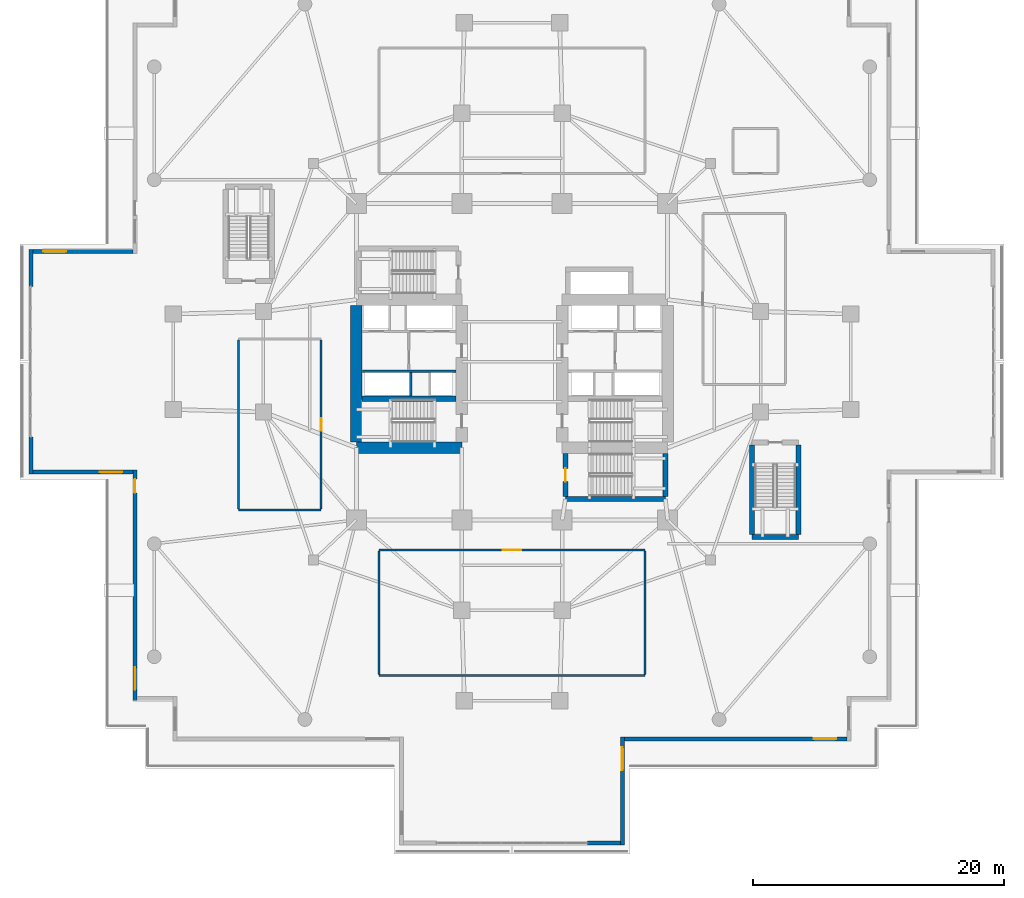
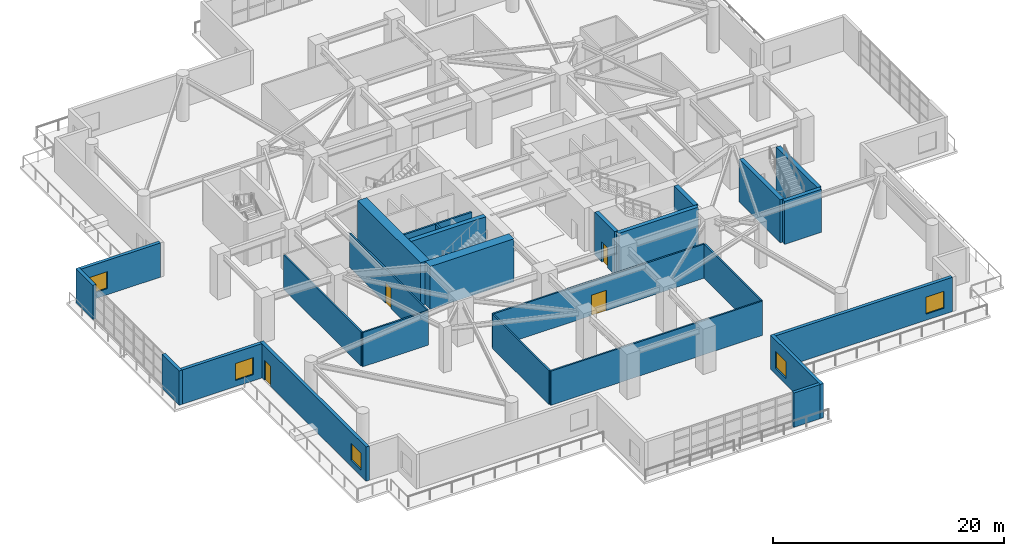
# One storey, part 13 of 23: 26 walls, 5 windows, 4 doors, 9 openings.
"""IFC4 building model written with IfcOpenShell, lengths in metres."""

from ifc_helpers import new_model, si_unit, direction, frame, frame_2d, origin, place, context, subcontext, project, spatial, rectangle, extrude, material, layer, layer_set, type_object, element, fill, save


model = new_model("IFC4")

# Units and contexts
model_context = context("Model", 3, precision=1e-05, world=origin(), true_north=direction((0.0, 1.0)))
body_context = subcontext(model_context, "Body", "Model", "MODEL_VIEW")
ifc_project = project(units=[si_unit("LENGTHUNIT", "METRE"), si_unit("AREAUNIT", "SQUARE_METRE"), si_unit("VOLUMEUNIT", "CUBIC_METRE"), si_unit("PLANEANGLEUNIT", "RADIAN"), si_unit("MASSUNIT", "GRAM", prefix="KILO")], contexts=[model_context])

# Site, building, storey
site_placement = place(None, origin())
site = spatial("IfcSite", under=ifc_project, at=site_placement, CompositionType="ELEMENT")
building_placement = place(site_placement, origin())
building = spatial("IfcBuilding", under=site, at=building_placement, Name="Qingluan Cross Belvedere", CompositionType="ELEMENT")
storey_placement = place(building_placement, frame((0.0, 0.0, 5.39990234375)))
storey = spatial("IfcBuildingStorey", under=building, at=storey_placement, Name="L02", CompositionType="ELEMENT", Elevation=5.39990234375)

# Walls
ifc_material_1 = material(Name="Concrete C50", Category="concrete")
ifc_layer_1 = layer(ifc_material_1, 0.449951171875, Name="CoreShearWall_450")
ifc_layer_set_1 = layer_set([ifc_layer_1], Name="Concrete C50")
wall_type_1 = type_object("IfcWallType", Name="CoreShearWall_450", PredefinedType="SHEAR", material=ifc_layer_set_1)
wall_1_placement = place(storey_placement, frame((-11.945068359375, -2.9599609375, 0.0), z_axis=(0.0, 0.0, 1.0), x_axis=(1.0, 0.0, 0.0)))
element("IfcWall", 1, at=wall_1_placement, inside=storey, type_object=wall_type_1, Name="Split core W shear wall L02-M", PredefinedType="SHEAR", context=body_context, shape_type="SweptSolid", body=[
    extrude(rectangle(XDim=7.489990234375, YDim=0.449951171875, at=frame_2d((3.7451171875, 0.0))), origin(), (0.0, 0.0, 1.0), 4.550048828125),
])
wall_2_placement = place(storey_placement, frame((4.260009765625, -10.93994140625, 0.0), z_axis=(0.0, 0.0, 1.0), x_axis=(1.0, 0.0, 0.0)))
element("IfcWall", 2, at=wall_2_placement, inside=storey, type_object=wall_type_1, Name="Stair ST4 structural wall S L02", PredefinedType="SHEAR", context=body_context, shape_type="SweptSolid", body=[
    extrude(rectangle(XDim=7.9599609375, YDim=0.39990234375, at=frame_2d((3.97998046875, 0.0))), origin(), (0.0, 0.0, 1.0), 4.550048828125),
])

# Wall, opening, door
wall_3_placement = place(storey_placement, frame((4.260009765625, -10.735107421875, 0.0), z_axis=(0.0, 0.0, 1.0), x_axis=(0.0, 1.0, 0.0)))
wall_3 = element("IfcWall", 3, at=wall_3_placement, inside=storey, type_object=wall_type_1, Name="Stair ST4 structural wall W L02", PredefinedType="SHEAR", context=body_context, shape_type="SweptSolid", body=[
    extrude(rectangle(XDim=3.43017578125, YDim=0.39990234375, at=frame_2d((1.715087890625, 0.0))), origin(), (0.0, 0.0, 1.0), 4.550048828125),
])
opening_1_placement = place(wall_3_placement, frame((1.18505859375, 0.0, 0.0)))
opening_1 = element("IfcOpeningElement", 4, at=opening_1_placement, cuts=wall_3, Name="Opening FD-B11", PredefinedType="OPENING", context=body_context, shape_type="SweptSolid", body=[
    extrude(rectangle(XDim=1.050048828125, YDim=2.14990234375, at=frame_2d((0.52490234375, 1.074951171875))), frame((0.0, 0.2099609375, 0.0), z_axis=(0.0, -1.0, 0.0), x_axis=(1.0, 0.0, 0.0)), (0.0, 0.0, 1.0), 0.419921875),
])
ifc_material_2 = material(Name="Steel Class B smoke-seal fire door", Category="steel")
door_type_1 = type_object("IfcDoorType", Name="StairLobbyFireDoor_FDB", OperationType="NOTDEFINED", PredefinedType="DOOR", material=ifc_material_2)
door_1_placement = place(opening_1_placement, origin())
door_1 = element("IfcDoor", 5, at=door_1_placement, inside=storey, type_object=door_type_1, Name="Smoke-proof stair ST4 fire door L02", OperationType="SINGLE_SWING_LEFT", OverallHeight=2.14990234375, OverallWidth=1.050048828125, PredefinedType="DOOR", context=body_context, shape_type="SweptSolid", body=[
    extrude(rectangle(XDim=1.050048828125, YDim=2.14990234375, at=frame_2d((0.52490234375, 1.074951171875))), frame((0.0, 0.02490234375, 0.0), z_axis=(0.0, -1.0, 0.0), x_axis=(1.0, 0.0, 0.0)), (0.0, 0.0, 1.0), 0.050048828125),
])
fill(opening_1, door_1)

# Walls
wall_4_placement = place(storey_placement, frame((12.219970703125, -10.735107421875, 0.0), z_axis=(0.0, 0.0, 1.0), x_axis=(0.0, 1.0, 0.0)))
element("IfcWall", 6, at=wall_4_placement, inside=storey, type_object=wall_type_1, Name="Stair ST4 structural wall E L02", PredefinedType="SHEAR", context=body_context, shape_type="SweptSolid", body=[
    extrude(rectangle(XDim=3.43017578125, YDim=0.39990234375, at=frame_2d((1.715087890625, 0.0))), origin(), (0.0, 0.0, 1.0), 4.550048828125),
])
wall_5_placement = place(storey_placement, frame((19.1201171875, -13.949951171875, 0.0), z_axis=(0.0, 0.0, 1.0), x_axis=(1.0, 0.0, 0.0)))
element("IfcWall", 7, at=wall_5_placement, inside=storey, type_object=wall_type_1, Name="Stair ST6 structural wall S L02", PredefinedType="SHEAR", context=body_context, shape_type="SweptSolid", body=[
    extrude(rectangle(XDim=3.699951171875, YDim=0.39990234375, at=frame_2d((1.85009765625, 0.0))), origin(), (0.0, 0.0, 1.0), 4.550048828125),
])
for number, where, z_axis, x_axis, name in (
    (8, (19.1201171875, -13.7451171875, 0.0), (0.0, 0.0, 1.0), (0.0, 1.0, 0.0), "Stair ST6 structural wall W L02"),
    (9, (22.820068359375, -13.7451171875, 0.0), (0.0, 0.0, 1.0), (0.0, 1.0, 0.0), "Stair ST6 structural wall E L02"),
):
    element("IfcWall", number, at=place(storey_placement, frame(where, z_axis=z_axis, x_axis=x_axis)), inside=storey, type_object=wall_type_1, Name=name, PredefinedType="SHEAR", context=body_context, shape_type="SweptSolid", body=[
        extrude(rectangle(XDim=7.110107421875, YDim=0.39990234375, at=frame_2d((3.55517578125, 0.0))), origin(), (0.0, 0.0, 1.0), 4.550048828125),
    ])
ifc_material_3 = material(Name="Concrete C70", Category="concrete")
ifc_layer_2 = layer(ifc_material_3, 0.89990234375, Name="CoreShearWall_900")
ifc_layer_set_2 = layer_set([ifc_layer_2], Name="Concrete C70")
wall_type_2 = type_object("IfcWallType", Name="CoreShearWall_900", PredefinedType="SHEAR", material=ifc_layer_set_2)
wall_6_placement = place(storey_placement, frame((-12.39990234375, -6.85009765625, 0.0), z_axis=(0.0, 0.0, 1.0), x_axis=(1.0, 0.0, 0.0)))
element("IfcWall", 10, at=wall_6_placement, inside=storey, type_object=wall_type_2, Name="Split core W shear wall L02-S", PredefinedType="SHEAR", context=body_context, shape_type="SweptSolid", body=[
    extrude(rectangle(XDim=8.39990234375, YDim=0.89990234375, at=frame_2d((4.199951171875, 0.0))), origin(), (0.0, 0.0, 1.0), 4.550048828125),
])
wall_7_placement = place(storey_placement, frame((-12.39990234375, -6.39501953125, 0.0), z_axis=(0.0, 0.0, 1.0), x_axis=(0.0, 1.0, 0.0)))
element("IfcWall", 11, at=wall_7_placement, inside=storey, type_object=wall_type_2, Name="Split core W shear wall L02-W", PredefinedType="SHEAR", context=body_context, shape_type="SweptSolid", body=[
    extrude(rectangle(XDim=10.89013671875, YDim=0.89990234375, at=frame_2d((5.445068359375, 0.0))), origin(), (0.0, 0.0, 1.0), 4.550048828125),
])
ifc_material_4 = material(Name="Gypsum plasterboard on steel stud acoustic partition", Category="steel")
ifc_layer_3 = layer(ifc_material_4, 0.159912109375, Name="CorridorPartition_160")
ifc_layer_set_3 = layer_set([ifc_layer_3], Name="Gypsum plasterboard on steel stud acoustic partition")
wall_type_3 = type_object("IfcWallType", Name="CorridorPartition_160", PredefinedType="PARTITIONING", material=ifc_layer_set_3)
wall_8_placement = place(storey_placement, frame((-10.60009765625, -25.0, 0.0), z_axis=(0.0, 0.0, 1.0), x_axis=(1.0, 0.0, 0.0)))
element("IfcWall", 12, at=wall_8_placement, inside=storey, type_object=wall_type_3, Name="Partition L02:pod_s:S", PredefinedType="PARTITIONING", context=body_context, shape_type="SweptSolid", body=[
    extrude(rectangle(XDim=21.2001953125, YDim=0.159912109375, at=frame_2d((10.60009765625, 0.0))), origin(), (0.0, 0.0, 1.0), 3.6201171875),
])

# Wall, opening, door
wall_9_placement = place(storey_placement, frame((-10.60009765625, -15.0, 0.0), z_axis=(0.0, 0.0, 1.0), x_axis=(1.0, 0.0, 0.0)))
wall_9 = element("IfcWall", 13, at=wall_9_placement, inside=storey, type_object=wall_type_3, Name="Partition L02:pod_s:N", PredefinedType="PARTITIONING", context=body_context, shape_type="SweptSolid", body=[
    extrude(rectangle(XDim=21.2001953125, YDim=0.159912109375, at=frame_2d((10.60009765625, 0.0))), origin(), (0.0, 0.0, 1.0), 3.6201171875),
])
opening_2_placement = place(wall_9_placement, frame((9.85009765625, 0.0, 0.0)))
opening_2 = element("IfcOpeningElement", 14, at=opening_2_placement, cuts=wall_9, Name="Opening FD-A15", PredefinedType="OPENING", context=body_context, shape_type="SweptSolid", body=[
    extrude(rectangle(XDim=1.5, YDim=2.14990234375, at=frame_2d((0.75, 1.074951171875))), frame((0.0, 0.08984375, 0.0), z_axis=(0.0, -1.0, 0.0), x_axis=(1.0, 0.0, 0.0)), (0.0, 0.0, 1.0), 0.179931640625),
])
ifc_material_5 = material(Name="Insulated steel Class A double fire door", Category="steel")
door_type_2 = type_object("IfcDoorType", Name="PlantDoubleFireDoor_FDA", OperationType="DOUBLE_DOOR_SINGLE_SWING", PredefinedType="DOOR", material=ifc_material_5)
door_2_placement = place(opening_2_placement, origin())
door_2 = element("IfcDoor", 15, at=door_2_placement, inside=storey, type_object=door_type_2, Name="Pre-function reception foyer South L02 door", OperationType="DOUBLE_DOOR_SINGLE_SWING", OverallHeight=2.14990234375, OverallWidth=1.5, PredefinedType="DOOR", context=body_context, shape_type="SweptSolid", body=[
    extrude(rectangle(XDim=1.5, YDim=2.14990234375, at=frame_2d((0.75, 1.074951171875))), frame((0.0, 0.02490234375, 0.0), z_axis=(0.0, -1.0, 0.0), x_axis=(1.0, 0.0, 0.0)), (0.0, 0.0, 1.0), 0.050048828125),
])
fill(opening_2, door_2)

# Walls
for number, where, z_axis, x_axis, name in (
    (16, (-10.60009765625, -24.9150390625, 0.0), (0.0, 0.0, 1.0), (0.0, 1.0, 0.0), "Partition L02:pod_s:W"),
    (17, (10.60009765625, -24.9150390625, 0.0), (0.0, 0.0, 1.0), (0.0, 1.0, 0.0), "Partition L02:pod_s:E"),
):
    element("IfcWall", number, at=place(storey_placement, frame(where, z_axis=z_axis, x_axis=x_axis)), inside=storey, type_object=wall_type_3, Name=name, PredefinedType="PARTITIONING", context=body_context, shape_type="SweptSolid", body=[
        extrude(rectangle(XDim=9.830078125, YDim=0.159912109375, at=frame_2d((4.9150390625, 0.0))), origin(), (0.0, 0.0, 1.0), 3.6201171875),
    ])
wall_10_placement = place(storey_placement, frame((-21.800048828125, -11.800048828125, 0.0), z_axis=(0.0, 0.0, 1.0), x_axis=(1.0, 0.0, 0.0)))
element("IfcWall", 18, at=wall_10_placement, inside=storey, type_object=wall_type_3, Name="Partition L02:pod_w:S", PredefinedType="PARTITIONING", context=body_context, shape_type="SweptSolid", body=[
    extrude(rectangle(XDim=6.60009765625, YDim=0.159912109375, at=frame_2d((3.300048828125, 0.0))), origin(), (0.0, 0.0, 1.0), 3.6201171875),
])
wall_11_placement = place(storey_placement, frame((-21.800048828125, -11.715087890625, 0.0), z_axis=(0.0, 0.0, 1.0), x_axis=(0.0, 1.0, 0.0)))
element("IfcWall", 19, at=wall_11_placement, inside=storey, type_object=wall_type_3, Name="Partition L02:pod_w:W", PredefinedType="PARTITIONING", context=body_context, shape_type="SweptSolid", body=[
    extrude(rectangle(XDim=13.43017578125, YDim=0.159912109375, at=frame_2d((6.715087890625, 0.0))), origin(), (0.0, 0.0, 1.0), 3.6201171875),
])

# Wall, opening, door
wall_12_placement = place(storey_placement, frame((-15.199951171875, -11.715087890625, 0.0), z_axis=(0.0, 0.0, 1.0), x_axis=(0.0, 1.0, 0.0)))
wall_12 = element("IfcWall", 20, at=wall_12_placement, inside=storey, type_object=wall_type_3, Name="Partition L02:pod_w:E", PredefinedType="PARTITIONING", context=body_context, shape_type="SweptSolid", body=[
    extrude(rectangle(XDim=13.43017578125, YDim=0.159912109375, at=frame_2d((6.715087890625, 0.0))), origin(), (0.0, 0.0, 1.0), 3.6201171875),
])
opening_3_placement = place(wall_12_placement, frame((6.235107421875, 0.0, 0.0)))
opening_3 = element("IfcOpeningElement", 21, at=opening_3_placement, cuts=wall_12, Name="Opening GD-10", PredefinedType="OPENING", context=body_context, shape_type="SweptSolid", body=[
    extrude(rectangle(XDim=0.9599609375, YDim=2.14990234375, at=frame_2d((0.47998046875, 1.074951171875))), frame((0.0, 0.08984375, 0.0), z_axis=(0.0, -1.0, 0.0), x_axis=(1.0, 0.0, 0.0)), (0.0, 0.0, 1.0), 0.179931640625),
])
ifc_material_6 = material(Name="Timber oak fire-rated acoustic guestroom door", Category="wood")
door_type_3 = type_object("IfcDoorType", Name="GuestEntryDoor_FD60", OperationType="NOTDEFINED", PredefinedType="DOOR", material=ifc_material_6)
door_3_placement = place(opening_3_placement, origin())
door_3 = element("IfcDoor", 22, at=door_3_placement, inside=storey, type_object=door_type_3, Name="Banquet servery kitchen West L02 door", OperationType="SINGLE_SWING_LEFT", OverallHeight=2.14990234375, OverallWidth=0.9599609375, PredefinedType="DOOR", context=body_context, shape_type="SweptSolid", body=[
    extrude(rectangle(XDim=0.9599609375, YDim=2.14990234375, at=frame_2d((0.47998046875, 1.074951171875))), frame((0.0, 0.02490234375, 0.0), z_axis=(0.0, -1.0, 0.0), x_axis=(1.0, 0.0, 0.0)), (0.0, 0.0, 1.0), 0.050048828125),
])
fill(opening_3, door_3)

# Wall, opening, window
ifc_material_7 = material(Name="Precast concrete C45", Category="concrete")
ifc_layer_4 = layer(ifc_material_7, 0.320068359375, Name="PrecastPodiumWall_320")
ifc_layer_set_4 = layer_set([ifc_layer_4], Name="Precast concrete C45")
wall_type_4 = type_object("IfcWallType", Name="PrecastPodiumWall_320", PredefinedType="STANDARD", material=ifc_layer_set_4)
wall_13_placement = place(storey_placement, frame((26.679931640625, -30.0400390625, 0.0), z_axis=(0.0, 0.0, 1.0), x_axis=(-1.0, 0.0, 0.0)))
wall_13 = element("IfcWall", 23, at=wall_13_placement, inside=storey, type_object=wall_type_4, Name="Podium precast facade wall L02-S1", PredefinedType="STANDARD", context=body_context, shape_type="SweptSolid", body=[
    extrude(rectangle(XDim=17.72998046875, YDim=0.320068359375, at=frame_2d((8.864990234375, 0.0))), origin(), (0.0, 0.0, 1.0), 3.630126953125),
])
opening_4_placement = place(wall_13_placement, frame((0.85009765625, 0.0, 0.64990234375)))
opening_4 = element("IfcOpeningElement", 24, at=opening_4_placement, cuts=wall_13, Name="Opening W-06", PredefinedType="OPENING", context=body_context, shape_type="SweptSolid", body=[
    extrude(rectangle(XDim=1.800048828125, YDim=1.800048828125, at=frame_2d((0.89990234375, 0.89990234375))), frame((0.0, 0.169921875, 0.0), z_axis=(0.0, -1.0, 0.0), x_axis=(1.0, 0.0, 0.0)), (0.0, 0.0, 1.0), 0.340087890625),
])
ifc_material_8 = material(Name="Thermally broken triple Low-E glass in aluminium frame", Category="aluminium")
window_type = type_object("IfcWindowType", Name="PodiumGalleryWin_1800x1800", PartitioningType="SINGLE_PANEL", PredefinedType="WINDOW", material=ifc_material_8)
window_1_placement = place(opening_4_placement, origin())
window_1 = element("IfcWindow", 25, at=window_1_placement, inside=storey, type_object=window_type, Name="Podium gallery window L02-S1", OverallHeight=1.800048828125, OverallWidth=1.800048828125, PartitioningType="SINGLE_PANEL", PredefinedType="WINDOW", context=body_context, shape_type="SweptSolid", body=[
    extrude(rectangle(XDim=1.800048828125, YDim=1.800048828125, at=frame_2d((0.89990234375, 0.89990234375))), frame((0.0, 0.030029296875, 0.0), z_axis=(0.0, -1.0, 0.0), x_axis=(1.0, 0.0, 0.0)), (0.0, 0.0, 1.0), 0.06005859375),
])
fill(opening_4, window_1)

wall_14_placement = place(storey_placement, frame((8.7900390625, -29.8798828125, 0.0), z_axis=(0.0, 0.0, 1.0), x_axis=(0.0, -1.0, 0.0)))
wall_14 = element("IfcWall", 26, at=wall_14_placement, inside=storey, type_object=wall_type_4, Name="Podium precast facade wall L02-S2", PredefinedType="STANDARD", context=body_context, shape_type="SweptSolid", body=[
    extrude(rectangle(XDim=8.6201171875, YDim=0.320068359375, at=frame_2d((4.31005859375, 0.0))), origin(), (0.0, 0.0, 1.0), 3.630126953125),
])
opening_5_placement = place(wall_14_placement, frame((0.85009765625, 0.0, 0.64990234375)))
opening_5 = element("IfcOpeningElement", 27, at=opening_5_placement, cuts=wall_14, Name="Opening W-06", PredefinedType="OPENING", context=body_context, shape_type="SweptSolid", body=[
    extrude(rectangle(XDim=1.800048828125, YDim=1.800048828125, at=frame_2d((0.89990234375, 0.89990234375))), frame((0.0, 0.169921875, 0.0), z_axis=(0.0, -1.0, 0.0), x_axis=(1.0, 0.0, 0.0)), (0.0, 0.0, 1.0), 0.340087890625),
])
window_2_placement = place(opening_5_placement, origin())
window_2 = element("IfcWindow", 28, at=window_2_placement, inside=storey, type_object=window_type, Name="Podium gallery window L02-S2", OverallHeight=1.800048828125, OverallWidth=1.800048828125, PartitioningType="SINGLE_PANEL", PredefinedType="WINDOW", context=body_context, shape_type="SweptSolid", body=[
    extrude(rectangle(XDim=1.800048828125, YDim=1.800048828125, at=frame_2d((0.89990234375, 0.89990234375))), frame((0.0, 0.030029296875, 0.0), z_axis=(0.0, -1.0, 0.0), x_axis=(1.0, 0.0, 0.0)), (0.0, 0.0, 1.0), 0.06005859375),
])
fill(opening_5, window_2)

# Wall
wall_15_placement = place(storey_placement, frame((8.6298828125, -38.340087890625, 0.0), z_axis=(0.0, 0.0, 1.0), x_axis=(-1.0, 0.0, 0.0)))
element("IfcWall", 29, at=wall_15_placement, inside=storey, type_object=wall_type_4, Name="Podium portal pier L02-P1JA", PredefinedType="STANDARD", context=body_context, shape_type="SweptSolid", body=[
    extrude(rectangle(XDim=2.6298828125, YDim=0.320068359375, at=frame_2d((1.31494140625, 0.0))), origin(), (0.0, 0.0, 1.0), 3.630126953125),
])

# Wall, openings, window, door
wall_16_placement = place(storey_placement, frame((-30.0400390625, -27.0, 0.0), z_axis=(0.0, 0.0, 1.0), x_axis=(0.0, 1.0, 0.0)))
wall_16 = element("IfcWall", 30, at=wall_16_placement, inside=storey, type_object=wall_type_4, Name="Podium precast facade wall L02-S9", PredefinedType="STANDARD", context=body_context, shape_type="SweptSolid", body=[
    extrude(rectangle(XDim=18.3701171875, YDim=0.320068359375, at=frame_2d((9.18505859375, 0.0))), origin(), (0.0, 0.0, 1.0), 3.630126953125),
])
opening_6_placement = place(wall_16_placement, frame((0.85009765625, 0.0, 0.64990234375)))
opening_6 = element("IfcOpeningElement", 31, at=opening_6_placement, cuts=wall_16, Name="Opening W-06", PredefinedType="OPENING", context=body_context, shape_type="SweptSolid", body=[
    extrude(rectangle(XDim=1.800048828125, YDim=1.800048828125, at=frame_2d((0.89990234375, 0.89990234375))), frame((0.0, 0.169921875, 0.0), z_axis=(0.0, -1.0, 0.0), x_axis=(1.0, 0.0, 0.0)), (0.0, 0.0, 1.0), 0.340087890625),
])
opening_7_placement = place(wall_16_placement, frame((16.550048828125, 0.0, 0.0)))
opening_7 = element("IfcOpeningElement", 32, at=opening_7_placement, cuts=wall_16, Name="Opening TD-11", PredefinedType="OPENING", context=body_context, shape_type="SweptSolid", body=[
    extrude(rectangle(XDim=1.10009765625, YDim=2.14990234375, at=frame_2d((0.550048828125, 1.074951171875))), frame((0.0, 0.169921875, 0.0), z_axis=(0.0, -1.0, 0.0), x_axis=(1.0, 0.0, 0.0)), (0.0, 0.0, 1.0), 0.340087890625),
])
window_3_placement = place(opening_6_placement, origin())
window_3 = element("IfcWindow", 33, at=window_3_placement, inside=storey, type_object=window_type, Name="Podium gallery window L02-S9", OverallHeight=1.800048828125, OverallWidth=1.800048828125, PartitioningType="SINGLE_PANEL", PredefinedType="WINDOW", context=body_context, shape_type="SweptSolid", body=[
    extrude(rectangle(XDim=1.800048828125, YDim=1.800048828125, at=frame_2d((0.89990234375, 0.89990234375))), frame((0.0, 0.030029296875, 0.0), z_axis=(0.0, -1.0, 0.0), x_axis=(1.0, 0.0, 0.0)), (0.0, 0.0, 1.0), 0.06005859375),
])
fill(opening_6, window_3)
ifc_material_9 = material(Name="Thermally broken aluminium and Low-E glass", Category="aluminium")
door_type_4 = type_object("IfcDoorType", Name="TerraceGlazedDoor_1100", OperationType="NOTDEFINED", PredefinedType="DOOR", material=ifc_material_9)
door_4_placement = place(opening_7_placement, origin())
door_4 = element("IfcDoor", 34, at=door_4_placement, inside=storey, type_object=door_type_4, Name="Cascade terrace door L02-3", OperationType="SINGLE_SWING_RIGHT", OverallHeight=2.14990234375, OverallWidth=1.10009765625, PredefinedType="DOOR", context=body_context, shape_type="SweptSolid", body=[
    extrude(rectangle(XDim=1.10009765625, YDim=2.14990234375, at=frame_2d((0.550048828125, 1.074951171875))), frame((0.0, 0.02490234375, 0.0), z_axis=(0.0, -1.0, 0.0), x_axis=(1.0, 0.0, 0.0)), (0.0, 0.0, 1.0), 0.050048828125),
])
fill(opening_7, door_4)

# Wall, opening, window
wall_17_placement = place(storey_placement, frame((-30.199951171875, -8.7900390625, 0.0), z_axis=(0.0, 0.0, 1.0), x_axis=(-1.0, 0.0, 0.0)))
wall_17 = element("IfcWall", 35, at=wall_17_placement, inside=storey, type_object=wall_type_4, Name="Podium precast facade wall L02-S10", PredefinedType="STANDARD", context=body_context, shape_type="SweptSolid", body=[
    extrude(rectangle(XDim=7.97998046875, YDim=0.320068359375, at=frame_2d((3.989990234375, 0.0))), origin(), (0.0, 0.0, 1.0), 3.630126953125),
])
opening_8_placement = place(wall_17_placement, frame((0.85009765625, 0.0, 0.64990234375)))
opening_8 = element("IfcOpeningElement", 36, at=opening_8_placement, cuts=wall_17, Name="Opening W-06", PredefinedType="OPENING", context=body_context, shape_type="SweptSolid", body=[
    extrude(rectangle(XDim=1.800048828125, YDim=1.800048828125, at=frame_2d((0.89990234375, 0.89990234375))), frame((0.0, 0.169921875, 0.0), z_axis=(0.0, -1.0, 0.0), x_axis=(1.0, 0.0, 0.0)), (0.0, 0.0, 1.0), 0.340087890625),
])
window_4_placement = place(opening_8_placement, origin())
window_4 = element("IfcWindow", 37, at=window_4_placement, inside=storey, type_object=window_type, Name="Podium gallery window L02-S10", OverallHeight=1.800048828125, OverallWidth=1.800048828125, PartitioningType="SINGLE_PANEL", PredefinedType="WINDOW", context=body_context, shape_type="SweptSolid", body=[
    extrude(rectangle(XDim=1.800048828125, YDim=1.800048828125, at=frame_2d((0.89990234375, 0.89990234375))), frame((0.0, 0.030029296875, 0.0), z_axis=(0.0, -1.0, 0.0), x_axis=(1.0, 0.0, 0.0)), (0.0, 0.0, 1.0), 0.06005859375),
])
fill(opening_8, window_4)

# Walls
for number, where, z_axis, x_axis, name in (
    (38, (-38.340087890625, -8.949951171875, 0.0), (0.0, 0.0, 1.0), (0.0, 1.0, 0.0), "Podium portal pier L02-P2JA"),
    (39, (-38.340087890625, 6.0, 0.0), (0.0, 0.0, 1.0), (0.0, 1.0, 0.0), "Podium portal pier L02-P2JB"),
):
    element("IfcWall", number, at=place(storey_placement, frame(where, z_axis=z_axis, x_axis=x_axis)), inside=storey, type_object=wall_type_4, Name=name, PredefinedType="STANDARD", context=body_context, shape_type="SweptSolid", body=[
        extrude(rectangle(XDim=2.949951171875, YDim=0.320068359375, at=frame_2d((1.47509765625, 0.0))), origin(), (0.0, 0.0, 1.0), 3.630126953125),
    ])

# Wall, opening, window
wall_18_placement = place(storey_placement, frame((-38.179931640625, 8.7900390625, 0.0), z_axis=(0.0, 0.0, 1.0), x_axis=(1.0, 0.0, 0.0)))
wall_18 = element("IfcWall", 40, at=wall_18_placement, inside=storey, type_object=wall_type_4, Name="Podium precast facade wall L02-S13", PredefinedType="STANDARD", context=body_context, shape_type="SweptSolid", body=[
    extrude(rectangle(XDim=7.97998046875, YDim=0.320068359375, at=frame_2d((3.989990234375, 0.0))), origin(), (0.0, 0.0, 1.0), 3.630126953125),
])
opening_9_placement = place(wall_18_placement, frame((0.85009765625, 0.0, 0.64990234375)))
opening_9 = element("IfcOpeningElement", 41, at=opening_9_placement, cuts=wall_18, Name="Opening W-06", PredefinedType="OPENING", context=body_context, shape_type="SweptSolid", body=[
    extrude(rectangle(XDim=1.800048828125, YDim=1.800048828125, at=frame_2d((0.89990234375, 0.89990234375))), frame((0.0, 0.169921875, 0.0), z_axis=(0.0, -1.0, 0.0), x_axis=(1.0, 0.0, 0.0)), (0.0, 0.0, 1.0), 0.340087890625),
])
window_5_placement = place(opening_9_placement, origin())
window_5 = element("IfcWindow", 42, at=window_5_placement, inside=storey, type_object=window_type, Name="Podium gallery window L02-S13", OverallHeight=1.800048828125, OverallWidth=1.800048828125, PartitioningType="SINGLE_PANEL", PredefinedType="WINDOW", context=body_context, shape_type="SweptSolid", body=[
    extrude(rectangle(XDim=1.800048828125, YDim=1.800048828125, at=frame_2d((0.89990234375, 0.89990234375))), frame((0.0, 0.030029296875, 0.0), z_axis=(0.0, -1.0, 0.0), x_axis=(1.0, 0.0, 0.0)), (0.0, 0.0, 1.0), 0.06005859375),
])
fill(opening_9, window_5)

# Walls
ifc_material_10 = material(Name="Concrete C40", Category="concrete")
ifc_layer_5 = layer(ifc_material_10, 0.219970703125, Name="ShaftEnclosureWall_250")
ifc_layer_set_5 = layer_set([ifc_layer_5], Name="Concrete C40")
wall_type_5 = type_object("IfcWallType", Name="ShaftEnclosureWall_250", PredefinedType="SOLIDWALL", material=ifc_layer_set_5)
wall_19_placement = place(storey_placement, frame((-11.89990234375, -0.75, 0.0), z_axis=(0.0, 0.0, 1.0), x_axis=(1.0, 0.0, 0.0)))
element("IfcWall", 43, at=wall_19_placement, inside=storey, type_object=wall_type_5, Name="Core-W mid hoistway wall L02", PredefinedType="SOLIDWALL", context=body_context, shape_type="SweptSolid", body=[
    extrude(rectangle(XDim=7.419921875, YDim=0.179931640625, at=frame_2d((3.7099609375, 0.0))), origin(), (0.0, 0.0, 1.0), 3.6201171875),
])
wall_20_placement = place(storey_placement, frame((-8.06005859375, -2.72998046875, 0.0), z_axis=(0.0, 0.0, 1.0), x_axis=(0.0, 1.0, 0.0)))
element("IfcWall", 44, at=wall_20_placement, inside=storey, type_object=wall_type_5, Name="Hoistway enclosure divider LP6E L02", PredefinedType="SOLIDWALL", context=body_context, shape_type="SweptSolid", body=[
    extrude(rectangle(XDim=1.889892578125, YDim=0.179931640625, at=frame_2d((0.94482421875, 0.0))), origin(), (0.0, 0.0, 1.0), 3.6201171875),
])

save(model, "model.ifc")
